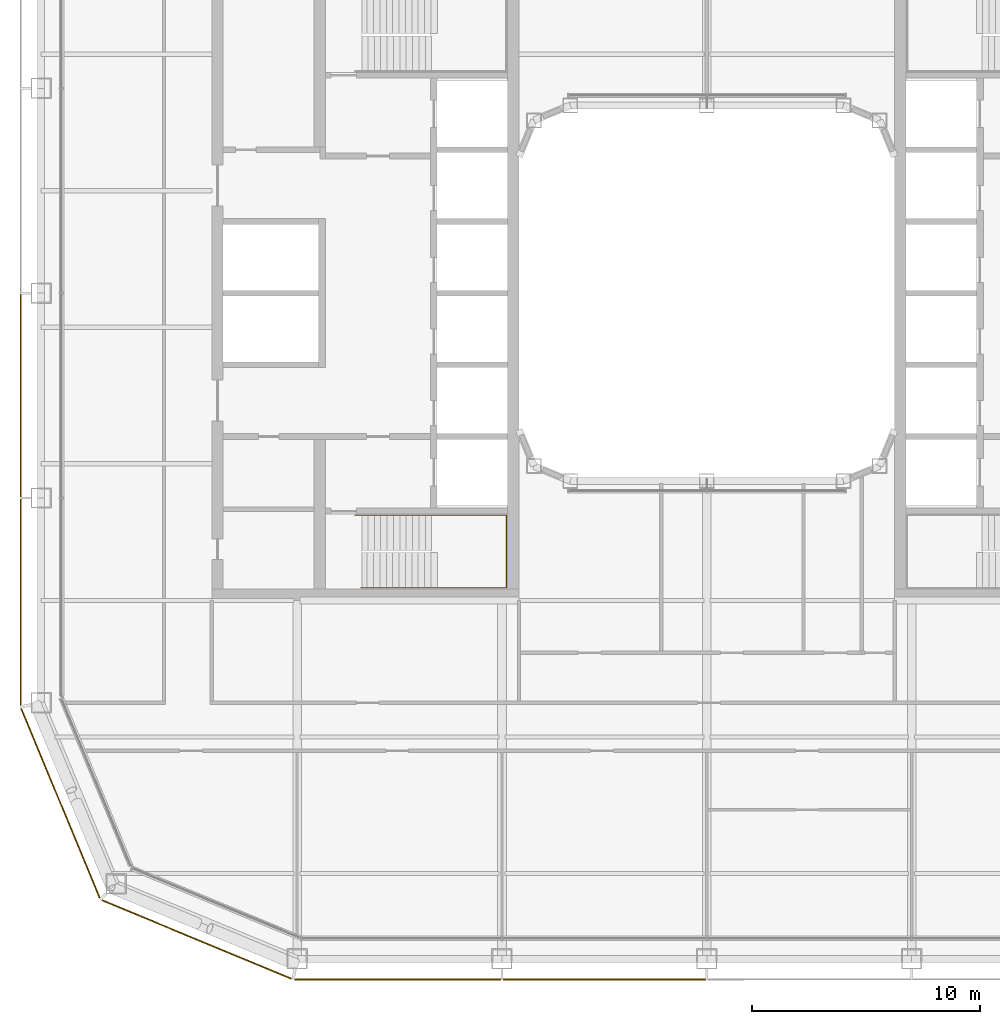
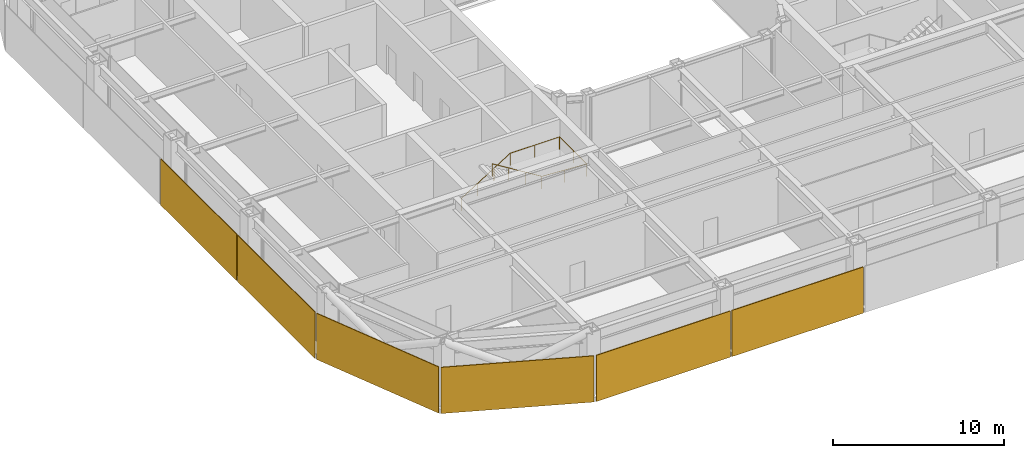
# One storey, part 17 of 21: 6 coverings, 1 railing.
"""IFC4 building model written with IfcOpenShell, lengths in metres."""

from ifc_helpers import new_model, si_unit, direction, frame, origin, origin_2d, place, context, subcontext, project, spatial, rectangle, circle, extrude, material, layer, layer_set, type_object, element, save


model = new_model("IFC4")

# Units and contexts
model_context = context("Model", 3, precision=1e-05, world=origin(), true_north=direction((0.0, 1.0)))
body_context = subcontext(model_context, "Body", "Model", "MODEL_VIEW")
ifc_project = project(units=[si_unit("LENGTHUNIT", "METRE"), si_unit("AREAUNIT", "SQUARE_METRE"), si_unit("VOLUMEUNIT", "CUBIC_METRE"), si_unit("PLANEANGLEUNIT", "RADIAN"), si_unit("MASSUNIT", "GRAM", prefix="KILO")], contexts=[model_context])

# Site, building, storey
site_placement = place(None, origin())
site = spatial("IfcSite", under=ifc_project, at=site_placement, CompositionType="ELEMENT")
building_placement = place(site_placement, origin())
building = spatial("IfcBuilding", under=site, at=building_placement, Name="Siwar Civic Tower", CompositionType="ELEMENT")
storey_placement = place(building_placement, frame((0.0, 0.0, 158.699951171875)))
storey = spatial("IfcBuildingStorey", under=building, at=storey_placement, Name="L34", CompositionType="ELEMENT", Elevation=158.699951171875)

# Railing
ifc_material_1 = material(Name="Stainless steel", Category="steel")
railing_type = type_object("IfcRailingType", Name="CORE-STAIR-HANDRAIL", PredefinedType="HANDRAIL", material=ifc_material_1)
railing_placement = place(storey_placement, frame((-15.449951171875, -9.758056640625, 0.173095703125)))
element("IfcRailing", 1, at=railing_placement, inside=storey, type_object=railing_type, Name="Stair handrail ST2", PredefinedType="HANDRAIL", context=body_context, shape_type="SweptSolid", body=[
    extrude(circle(Radius=0.02001953125, at=origin_2d()), frame((0.0, 0.0, 0.8798828125), z_axis=(0.847063342986, 0.0, 0.531491950051), x_axis=(0.0, 1.0, 0.0)), (0.0, 0.0, 1.0), 3.90771484375),
    extrude(circle(Radius=0.02001953125, at=origin_2d()), frame((3.31005859375, 0.0, 2.956787109375), z_axis=(1.0, 0.0, 0.0), x_axis=(0.0, 1.0, 0.0)), (0.0, 0.0, 1.0), 3.331787109375),
    extrude(circle(Radius=0.02001953125, at=origin_2d()), frame((6.641845703125, 0.0, 2.956787109375), z_axis=(0.0, -1.0, 0.0), x_axis=(1.0, 0.0, 0.0)), (0.0, 0.0, 1.0), 3.183837890625),
    extrude(circle(Radius=0.02001953125, at=origin_2d()), frame((6.641845703125, -3.183837890625, 2.956787109375), z_axis=(-0.99837434197, 0.0, 0.056997134106), x_axis=(0.0, -1.0, 0.0)), (0.0, 0.0, 1.0), 3.036865234375),
    extrude(circle(Radius=0.02001953125, at=origin_2d()), frame((3.60986328125, -3.183837890625, 3.1298828125), z_axis=(-0.850606129759, 0.0, 0.525803396734), x_axis=(0.0, -1.0, 0.0)), (0.0, 0.0, 1.0), 3.949951171875),
    extrude(circle(Radius=0.02001953125, at=origin_2d()), origin(), (0.0, 0.0, 1.0), 0.85986328125),
    extrude(circle(Radius=0.02001953125, at=origin_2d()), frame((1.103271484375, 0.0, 0.6923828125)), (0.0, 0.0, 1.0), 0.85986328125),
    extrude(circle(Radius=0.02001953125, at=origin_2d()), frame((2.206787109375, 0.0, 1.384521484375)), (0.0, 0.0, 1.0), 0.85986328125),
    extrude(circle(Radius=0.02001953125, at=origin_2d()), frame((3.31005859375, 0.0, 2.076904296875)), (0.0, 0.0, 1.0), 0.85986328125),
    extrude(circle(Radius=0.02001953125, at=origin_2d()), frame((4.97607421875, 0.0, 2.076904296875)), (0.0, 0.0, 1.0), 0.85986328125),
    extrude(circle(Radius=0.02001953125, at=origin_2d()), frame((6.641845703125, 0.0, 2.076904296875)), (0.0, 0.0, 1.0), 0.85986328125),
    extrude(circle(Radius=0.02001953125, at=origin_2d()), frame((6.641845703125, -1.591796875, 2.076904296875)), (0.0, 0.0, 1.0), 0.85986328125),
    extrude(circle(Radius=0.02001953125, at=origin_2d()), frame((6.641845703125, -3.183837890625, 2.076904296875)), (0.0, 0.0, 1.0), 0.85986328125),
    extrude(circle(Radius=0.02001953125, at=origin_2d()), frame((5.1259765625, -3.183837890625, 2.16357421875)), (0.0, 0.0, 1.0), 0.85986328125),
    extrude(circle(Radius=0.02001953125, at=origin_2d()), frame((3.60986328125, -3.183837890625, 2.25)), (0.0, 0.0, 1.0), 0.85986328125),
    extrude(circle(Radius=0.02001953125, at=origin_2d()), frame((2.489990234375, -3.183837890625, 2.9423828125)), (0.0, 0.0, 1.0), 0.85986328125),
    extrude(circle(Radius=0.02001953125, at=origin_2d()), frame((1.369873046875, -3.183837890625, 3.634521484375)), (0.0, 0.0, 1.0), 0.85986328125),
    extrude(circle(Radius=0.02001953125, at=origin_2d()), frame((0.25, -3.183837890625, 4.326904296875)), (0.0, 0.0, 1.0), 0.85986328125),
])

# Coverings
ifc_material_2 = material(Name="Perforated aluminium cassette, pale metal", Category="aluminium")
ifc_layer_1 = layer(ifc_material_2, 0.050048828125)
ifc_layer_set_1 = layer_set([ifc_layer_1], Name="Perforated aluminium cassette, pale metal")
covering_type_1 = type_object("IfcCoveringType", Name="ENV-OUTER SKIN OS-3", PredefinedType="CLADDING", material=ifc_layer_set_1)
covering_1_placement = place(storey_placement, frame((-30.14990234375, -4.5, -0.14990234375), z_axis=(0.0, 0.0, 1.0), x_axis=(0.0, -1.0, 0.0)))
element("IfcCovering", 2, at=covering_1_placement, inside=storey, type_object=covering_type_1, Name="OUTER SKIN OS-3 W 3", PredefinedType="CLADDING", context=body_context, shape_type="SweptSolid", body=[
    extrude(rectangle(XDim=8.89990234375, YDim=0.050048828125, at=origin_2d()), origin(), (0.0, 0.0, 1.0), 3.300048828125),
])
covering_2_placement = place(storey_placement, frame((-30.14990234375, -13.57958984375, -0.14990234375), z_axis=(0.0, 0.0, 1.0), x_axis=(0.0, -1.0, 0.0)))
element("IfcCovering", 3, at=covering_2_placement, inside=storey, type_object=covering_type_1, Name="OUTER SKIN OS-3 W 4", PredefinedType="CLADDING", context=body_context, shape_type="SweptSolid", body=[
    extrude(rectangle(XDim=9.05908203125, YDim=0.050048828125, at=origin_2d()), origin(), (0.0, 0.0, 1.0), 3.300048828125),
])
ifc_material_3 = material(Name="Perforated aluminium cassette, pale metal", Category="aluminium")
ifc_layer_2 = layer(ifc_material_3, 0.054931640625)
ifc_layer_set_2 = layer_set([ifc_layer_2], Name="Perforated aluminium cassette, pale metal")
covering_type_2 = type_object("IfcCoveringType", Name="ENV-OUTER SKIN OS-4", PredefinedType="CLADDING", material=ifc_layer_set_2)
covering_3_placement = place(storey_placement, frame((-13.57958984375, -30.14990234375, -0.14990234375), z_axis=(0.0, 0.0, 1.0), x_axis=(1.0, 0.0, 0.0)))
element("IfcCovering", 4, at=covering_3_placement, inside=storey, type_object=covering_type_2, Name="OUTER SKIN OS-4 S 1", PredefinedType="CLADDING", context=body_context, shape_type="SweptSolid", body=[
    extrude(rectangle(XDim=9.05908203125, YDim=0.054931640625, at=origin_2d()), origin(), (0.0, 0.0, 1.0), 3.300048828125),
])
covering_4_placement = place(storey_placement, frame((-4.5, -30.14990234375, -0.14990234375), z_axis=(0.0, 0.0, 1.0), x_axis=(1.0, 0.0, 0.0)))
element("IfcCovering", 5, at=covering_4_placement, inside=storey, type_object=covering_type_2, Name="OUTER SKIN OS-4 S 2", PredefinedType="CLADDING", context=body_context, shape_type="SweptSolid", body=[
    extrude(rectangle(XDim=8.89990234375, YDim=0.054931640625, at=origin_2d()), origin(), (0.0, 0.0, 1.0), 3.300048828125),
])
for number, where, z_axis, x_axis, name in (
    (6, (-28.39697265625, -22.411376953125, -0.14990234375), (0.0, 0.0, 1.0), (0.382683432365, -0.923879532511, 0.0), "OUTER SKIN OS-4 SW1 1"),
    (7, (-22.411376953125, -28.39697265625, -0.14990234375), (0.0, 0.0, 1.0), (0.923879532511, -0.382683432365, 0.0), "OUTER SKIN OS-4 SW2 1"),
):
    element("IfcCovering", number, at=place(storey_placement, frame(where, z_axis=z_axis, x_axis=x_axis)), inside=storey, type_object=covering_type_2, Name=name, PredefinedType="CLADDING", context=body_context, shape_type="SweptSolid", body=[
        extrude(rectangle(XDim=9.022216796875, YDim=0.054931640625, at=origin_2d()), origin(), (0.0, 0.0, 1.0), 3.300048828125),
    ])

save(model, "model.ifc")
